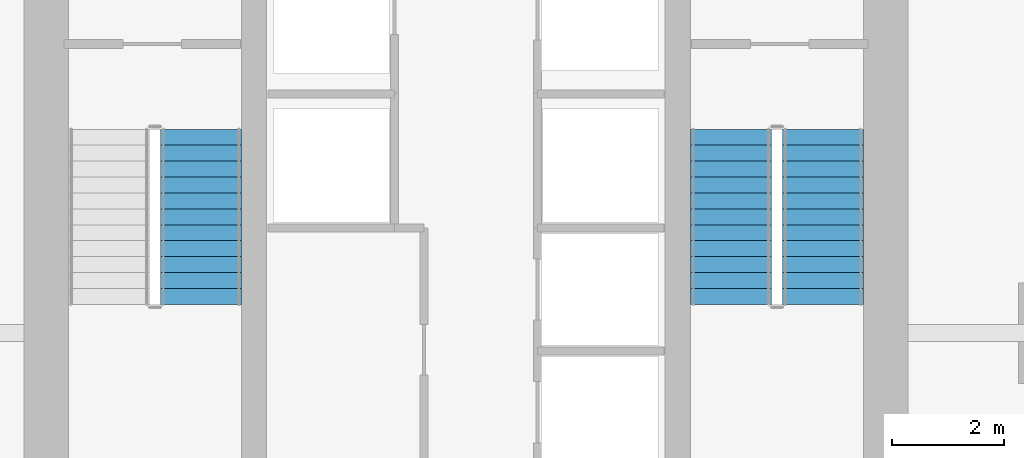
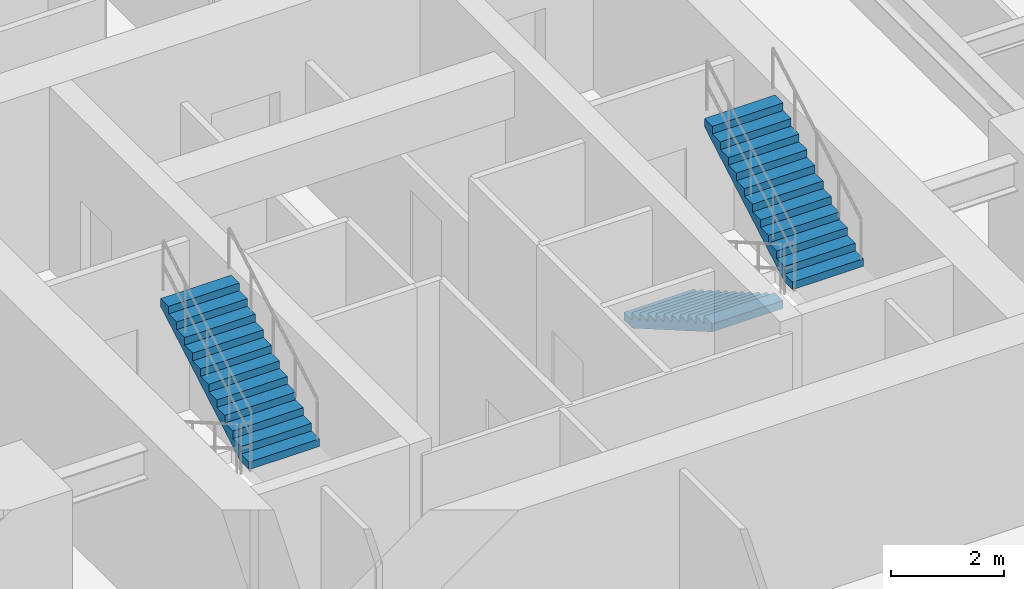
# One storey, part 23 of 25: 3 stair flights, 2 elements without a shape of their own.
"""IFC4 building model written with IfcOpenShell, lengths in metres."""

from ifc_helpers import new_model, si_unit, direction, frame, origin, place, context, subcontext, project, spatial, polyline, outline, extrude, material, type_object, element, aggregate, save


model = new_model("IFC4")

# Units and contexts
model_context = context("Model", 3, precision=1e-05, world=origin(), true_north=direction((0.0, 1.0)))
body_context = subcontext(model_context, "Body", "Model", "MODEL_VIEW")
ifc_project = project(units=[si_unit("LENGTHUNIT", "METRE"), si_unit("AREAUNIT", "SQUARE_METRE"), si_unit("VOLUMEUNIT", "CUBIC_METRE"), si_unit("PLANEANGLEUNIT", "RADIAN"), si_unit("MASSUNIT", "GRAM", prefix="KILO")], contexts=[model_context])

# Site, building, storey
site_placement = place(None, origin())
site = spatial("IfcSite", under=ifc_project, at=site_placement, CompositionType="ELEMENT")
building_placement = place(site_placement, origin())
building = spatial("IfcBuilding", under=site, at=building_placement, Name="Krantzveldt Concourse Tower", CompositionType="ELEMENT")
storey_placement = place(building_placement, frame((0.0, 0.0, 193.60009765625)))
storey = spatial("IfcBuildingStorey", under=building, at=storey_placement, Name="L47", CompositionType="ELEMENT", Elevation=193.60009765625)

# Stair, stair flight
ifc_material = material(Name="Precast concrete C40/50", Category="concrete")
stair_type = type_object("IfcStairType", Name="STR-CORE-DOGLEG", PredefinedType="HALF_TURN_STAIR", material=ifc_material)
stair_1_placement = place(storey_placement, origin())
stair_1 = element("IfcStair", 1, at=stair_1_placement, inside=storey, type_object=stair_type, Name="L47 Protected Escape Stair ST-1", PredefinedType="HALF_TURN_STAIR")
stair_flight_type = type_object("IfcStairFlightType", Name="STF-CORE-1450", PredefinedType="STRAIGHT", material=ifc_material)
stair_flight_1_placement = place(storey_placement, frame((31.2548828125, 16.4150390625, 1.974853515625), z_axis=(0.0, 0.0, 1.0), x_axis=(0.0, 1.0, 0.0)))
stair_flight_1 = element("IfcStairFlight", 2, at=stair_flight_1_placement, type_object=stair_flight_type, Name="ST-1 flight 2", NumberOfRisers=12, NumberOfTreads=11, PredefinedType="STRAIGHT", RiserHeight=0.164583333, TreadLength=0.285, context=body_context, shape_type="SweptSolid", body=[
    extrude(outline(polyline([(0.0, 0.0), (0.0, 0.16455078125), (0.284912109375, 0.16455078125), (0.284912109375, 0.3291015625), (0.570068359375, 0.3291015625), (0.570068359375, 0.49365234375), (0.85498046875, 0.49365234375), (0.85498046875, 0.658447265625), (1.139892578125, 0.658447265625), (1.139892578125, 0.822998046875), (1.425048828125, 0.822998046875), (1.425048828125, 0.987548828125), (1.7099609375, 0.987548828125), (1.7099609375, 1.152099609375), (1.9951171875, 1.152099609375), (1.9951171875, 1.316650390625), (2.280029296875, 1.316650390625), (2.280029296875, 1.481201171875), (2.56494140625, 1.481201171875), (2.56494140625, 1.645751953125), (2.85009765625, 1.645751953125), (2.85009765625, 1.810302734375), (3.135009765625, 1.810302734375), (3.135009765625, 1.97509765625), (3.135009765625, 1.63720703125), (0.2998046875, 0.0), (0.0, 0.0)])), frame((0.0, 0.72509765625, 0.0), z_axis=(0.0, -1.0, 0.0), x_axis=(1.0, 0.0, 0.0)), (0.0, 0.0, 1.0), 1.449951171875),
])
aggregate(stair_1, [stair_flight_1])

# Stair, stair flights
stair_2_placement = place(storey_placement, origin())
stair_2 = element("IfcStair", 3, at=stair_2_placement, inside=storey, type_object=stair_type, Name="L47 Protected Escape Stair ST-2", PredefinedType="HALF_TURN_STAIR")
stair_flight_2_placement = place(storey_placement, frame((40.7451171875, 19.550048828125, 0.0), z_axis=(0.0, 0.0, 1.0), x_axis=(0.0, -1.0, 0.0)))
stair_flight_2 = element("IfcStairFlight", 4, at=stair_flight_2_placement, type_object=stair_flight_type, Name="ST-2 flight 1", NumberOfRisers=12, NumberOfTreads=11, PredefinedType="STRAIGHT", RiserHeight=0.164583333, TreadLength=0.285, context=body_context, shape_type="SweptSolid", body=[
    extrude(outline(polyline([(0.0, 0.0), (0.0, 0.16455078125), (0.284912109375, 0.16455078125), (0.284912109375, 0.3291015625), (0.570068359375, 0.3291015625), (0.570068359375, 0.49365234375), (0.85498046875, 0.49365234375), (0.85498046875, 0.658447265625), (1.139892578125, 0.658447265625), (1.139892578125, 0.822998046875), (1.425048828125, 0.822998046875), (1.425048828125, 0.987548828125), (1.7099609375, 0.987548828125), (1.7099609375, 1.152099609375), (1.9951171875, 1.152099609375), (1.9951171875, 1.316650390625), (2.280029296875, 1.316650390625), (2.280029296875, 1.481201171875), (2.56494140625, 1.481201171875), (2.56494140625, 1.645751953125), (2.85009765625, 1.645751953125), (2.85009765625, 1.810302734375), (3.135009765625, 1.810302734375), (3.135009765625, 1.97509765625), (3.135009765625, 1.63720703125), (0.2998046875, 0.0), (0.0, 0.0)])), frame((0.0, 0.72509765625, 0.0), z_axis=(0.0, -1.0, 0.0), x_axis=(1.0, 0.0, 0.0)), (0.0, 0.0, 1.0), 1.449951171875),
])
stair_flight_3_placement = place(storey_placement, frame((42.39501953125, 16.4150390625, 1.974853515625), z_axis=(0.0, 0.0, 1.0), x_axis=(0.0, 1.0, 0.0)))
stair_flight_3 = element("IfcStairFlight", 5, at=stair_flight_3_placement, type_object=stair_flight_type, Name="ST-2 flight 2", NumberOfRisers=12, NumberOfTreads=11, PredefinedType="STRAIGHT", RiserHeight=0.164583333, TreadLength=0.285, context=body_context, shape_type="SweptSolid", body=[
    extrude(outline(polyline([(0.0, 0.0), (0.0, 0.16455078125), (0.284912109375, 0.16455078125), (0.284912109375, 0.3291015625), (0.570068359375, 0.3291015625), (0.570068359375, 0.49365234375), (0.85498046875, 0.49365234375), (0.85498046875, 0.658447265625), (1.139892578125, 0.658447265625), (1.139892578125, 0.822998046875), (1.425048828125, 0.822998046875), (1.425048828125, 0.987548828125), (1.7099609375, 0.987548828125), (1.7099609375, 1.152099609375), (1.9951171875, 1.152099609375), (1.9951171875, 1.316650390625), (2.280029296875, 1.316650390625), (2.280029296875, 1.481201171875), (2.56494140625, 1.481201171875), (2.56494140625, 1.645751953125), (2.85009765625, 1.645751953125), (2.85009765625, 1.810302734375), (3.135009765625, 1.810302734375), (3.135009765625, 1.97509765625), (3.135009765625, 1.63720703125), (0.2998046875, 0.0), (0.0, 0.0)])), frame((0.0, 0.72509765625, 0.0), z_axis=(0.0, -1.0, 0.0), x_axis=(1.0, 0.0, 0.0)), (0.0, 0.0, 1.0), 1.449951171875),
])
aggregate(stair_2, [stair_flight_2, stair_flight_3])

save(model, "model.ifc")
